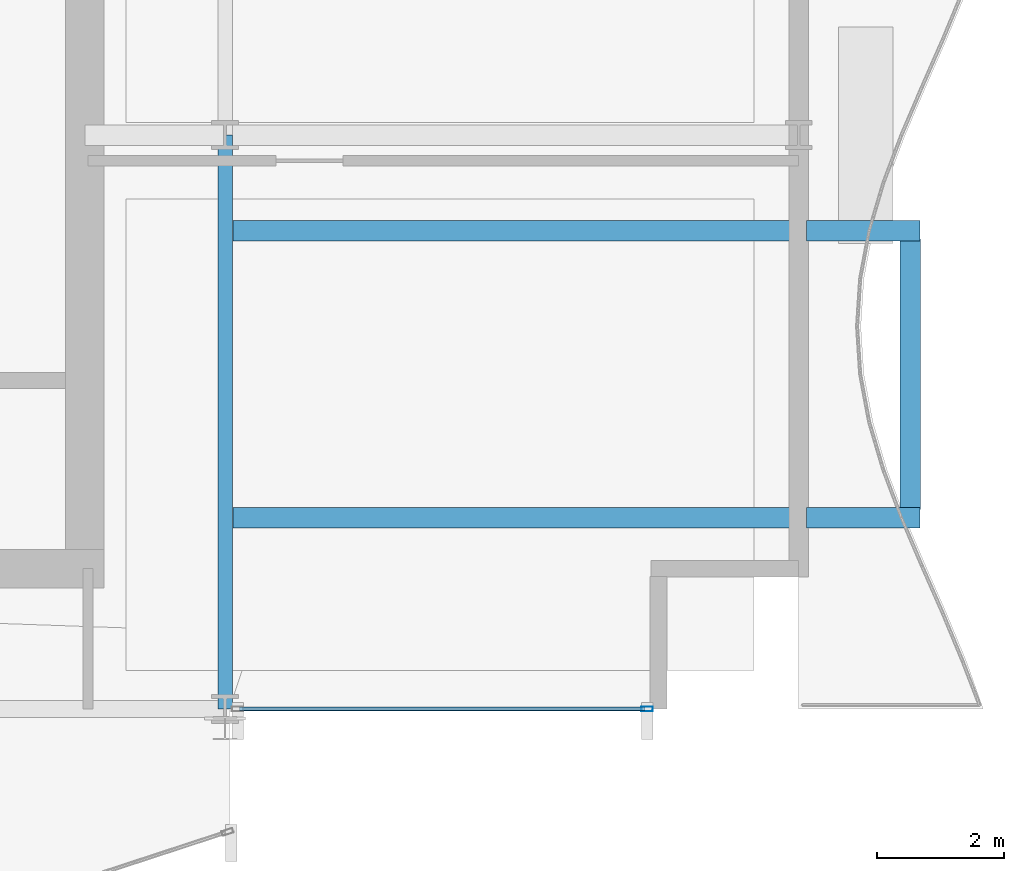
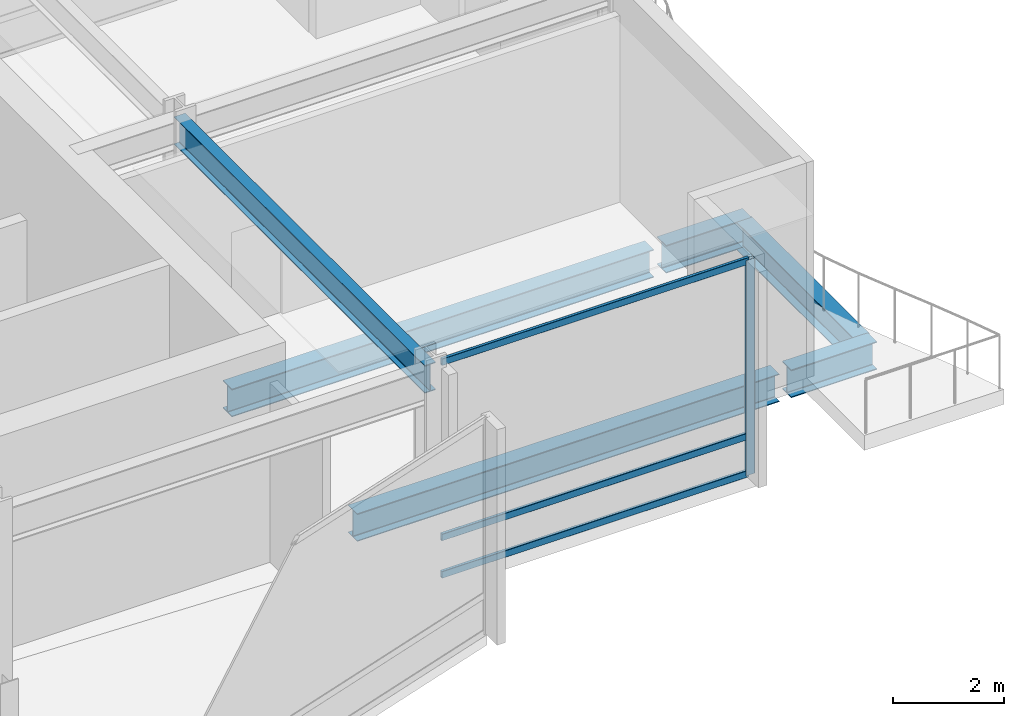
# One storey, part 11 of 33: 6 beams, 4 members, 1 element without a shape of its own.
"""IFC4 building model written with IfcOpenShell, lengths in metres."""

import ifcopenshell
import ifcopenshell.guid

model = None  # the IFC model being written
_history = None  # IfcOwnerHistory: only IFC2X3 demands one
_inside = {}  # id of a spatial element -> (the spatial element, [elements in it])
_under = {}  # id of a project, library or spatial element -> (it, [spatial elements below it])
_declared = {}  # id of a project -> (the project, [libraries it declares])
_typed = {}  # id of a type object -> (the type object, [elements of that type])
_made_of = {}  # id of a material, layer set ... -> (it, [elements and type objects made of it])


def new_model(schema):
    """Start an empty IFC model of exactly this schema.

    Asked for "IFC4X3", IfcOpenShell would pick the latest addendum, in which some entities
    have other attributes; the version numbers below select the first issue.
    IFC2X3 requires an IfcOwnerHistory on every rooted entity: one is made here for all.
    """
    global model, _history
    if schema == "IFC4X3":
        model = ifcopenshell.file(schema_version=(4, 3, 0, 0))
    else:
        model = ifcopenshell.file(schema=schema)
    _inside.clear()
    _under.clear()
    _declared.clear()
    _typed.clear()
    _made_of.clear()
    _history = None
    if model.schema == "IFC2X3":
        org = make("IfcOrganization", Name="unknown")
        user = make(
            "IfcPersonAndOrganization",
            ThePerson=make("IfcPerson", FamilyName="unknown"),
            TheOrganization=org,
        )
        app = make(
            "IfcApplication",
            ApplicationDeveloper=org,
            Version="unknown",
            ApplicationFullName="unknown",
            ApplicationIdentifier="unknown",
        )
        _history = make(
            "IfcOwnerHistory",
            OwningUser=user,
            OwningApplication=app,
            ChangeAction="ADDED",
            CreationDate=0,
        )
    return model


def make(cls, **values):
    """One entity of the class cls with the attributes given. An attribute that is None is left unset."""
    return model.create_entity(
        cls, **{name: value for name, value in values.items() if value is not None}
    )


def rooted(cls, **values):
    """An entity with a GlobalId (a new one), such as an element, a storey or a relation."""
    return make(cls, GlobalId=ifcopenshell.guid.new(), OwnerHistory=_history, **values)


def si_unit(unit_type, name, prefix=None):
    """IfcSIUnit, for example si_unit("LENGTHUNIT", "METRE", prefix="MILLI")."""
    return make("IfcSIUnit", UnitType=unit_type, Prefix=prefix, Name=name)


def assignment(units):
    """IfcUnitAssignment: the units of a project."""
    return None if units is None else make("IfcUnitAssignment", Units=units)


def point(xyz):
    """IfcCartesianPoint."""
    return None if xyz is None else make("IfcCartesianPoint", Coordinates=xyz)


def direction(xyz):
    """IfcDirection."""
    return None if xyz is None else make("IfcDirection", DirectionRatios=xyz)


def frame(location, z_axis=None, x_axis=None):
    """IfcAxis2Placement3D, a coordinate frame: its origin and axes. An axis left out is left unset."""
    return make(
        "IfcAxis2Placement3D",
        Location=point(location),
        Axis=direction(z_axis),
        RefDirection=direction(x_axis),
    )


def frame_2d(location, x_axis=None):
    """IfcAxis2Placement2D, a coordinate frame in the plane: its origin and x axis."""
    return make(
        "IfcAxis2Placement2D", Location=point(location), RefDirection=direction(x_axis)
    )


def origin():
    """The frame at (0, 0, 0) with its axes left unset."""
    return frame((0.0, 0.0, 0.0))


def origin_2d():
    """The frame at (0, 0) in the plane with its x axis left unset."""
    return frame_2d((0.0, 0.0))


def place(relative_to, where):
    """IfcLocalPlacement: puts the frame where relative to a parent placement (None: the world)."""
    return make(
        "IfcLocalPlacement", PlacementRelTo=relative_to, RelativePlacement=where
    )


def context(
    kind, dimensions, precision=None, world=None, true_north=None, identifier=None
):
    """IfcGeometricRepresentationContext, for example the 3D "Model" context."""
    return make(
        "IfcGeometricRepresentationContext",
        ContextIdentifier=identifier,
        ContextType=kind,
        CoordinateSpaceDimension=dimensions,
        Precision=precision,
        WorldCoordinateSystem=world,
        TrueNorth=true_north,
    )


def subcontext(parent, identifier, kind, view, scale=None):
    """IfcGeometricRepresentationSubContext, for example "Body" below "Model"."""
    return make(
        "IfcGeometricRepresentationSubContext",
        ContextIdentifier=identifier,
        ContextType=kind,
        ParentContext=parent,
        TargetScale=scale,
        TargetView=view,
    )


def project(units=None, contexts=None):
    """IfcProject with its units and contexts."""
    return rooted(
        "IfcProject",
        Name="project",
        RepresentationContexts=contexts,
        UnitsInContext=assignment(units),
    )


def spatial(cls, under=None, at=None, **own):
    """A site, building, storey or space (cls), placed at a placement, below another one or the project."""
    s = rooted(cls, ObjectPlacement=at, **own)
    if under is not None:
        _under.setdefault(under.id(), (under, []))[1].append(s)
    return s


def profile(cls, at=None, kind="AREA", **sizes):
    """A parametric profile (cls). Its sizes go by their IFC names, for example OverallWidth=200.0."""
    return make(cls, ProfileType=kind, Position=at, **sizes)


def hollow_rectangle(**sizes):
    """IfcRectangleHollowProfileDef."""
    return profile("IfcRectangleHollowProfileDef", **sizes)


def i_section(**sizes):
    """IfcIShapeProfileDef."""
    return profile("IfcIShapeProfileDef", **sizes)


def extrude(swept, where, along, depth):
    """IfcExtrudedAreaSolid: the profile swept, set in the frame where, extruded along a direction by depth."""
    return make(
        "IfcExtrudedAreaSolid",
        SweptArea=swept,
        Position=where,
        ExtrudedDirection=direction(along),
        Depth=depth,
    )


def shape(context_of_items, identifier, shape_type, items):
    """IfcShapeRepresentation: the items that make up one representation, for example the "Body"."""
    return make(
        "IfcShapeRepresentation",
        ContextOfItems=context_of_items,
        RepresentationIdentifier=identifier,
        RepresentationType=shape_type,
        Items=items,
    )


def material(Name=None, Category=None):
    """IfcMaterial."""
    return make("IfcMaterial", Name=Name, Category=Category)


def layer(
    of_material, thickness, ventilated=None, Name=None, Category=None, Priority=None
):
    """IfcMaterialLayer: one layer of a wall or slab, of a material (None: an air gap)."""
    return make(
        "IfcMaterialLayer",
        Material=of_material,
        LayerThickness=thickness,
        IsVentilated=ventilated,
        Name=Name,
        Category=Category,
        Priority=Priority,
    )


def layer_set(layers, Name=None):
    """IfcMaterialLayerSet."""
    return make("IfcMaterialLayerSet", MaterialLayers=layers, LayerSetName=Name)


def material_profile(
    of_material, cross_section, Name=None, Category=None, Priority=None
):
    """IfcMaterialProfile: a cross section and its material."""
    return make(
        "IfcMaterialProfile",
        Name=Name,
        Material=of_material,
        Profile=cross_section,
        Priority=Priority,
        Category=Category,
    )


def profile_set(profiles, Name=None, composite=None):
    """IfcMaterialProfileSet."""
    return make(
        "IfcMaterialProfileSet",
        Name=Name,
        MaterialProfiles=profiles,
        CompositeProfile=composite,
    )


def made_of(thing, what):
    """Note that an element or type object is made of a material, layer set ...; save() writes the relation."""
    if what is not None:
        _made_of.setdefault(what.id(), (what, []))[1].append(thing)
    return thing


def type_object(cls, material=None, **own):
    """A type object (cls), such as IfcWallType, which elements share."""
    return made_of(rooted(cls, **own), material)


def element(
    cls,
    number,
    at=None,
    inside=None,
    cuts=None,
    type_object=None,
    material=None,
    context=None,
    identifier="Body",
    shape_type=None,
    held_by="IfcProductDefinitionShape",
    body=None,
    shapes=None,
    **own,
):
    """One element of the class cls, such as IfcWall. Its Tag is "e" and its number.

    at: its placement. inside: the storey or other place that contains it. cuts: it is an
    opening in that element (IfcRelVoidsElement). A single representation is given by context,
    identifier, shape_type and body (its items); several are given by shapes. held_by: the class
    of the entity that holds the representations. save() writes the other relations.
    """
    e = rooted(cls, Tag="e%d" % number, ObjectPlacement=at, **own)
    if body is not None:
        shapes = [shape(context, identifier, shape_type, body)]
    if shapes is not None:
        e.Representation = make(held_by, Representations=shapes)
    if inside is not None:
        _inside.setdefault(inside.id(), (inside, []))[1].append(e)
    if cuts is not None:
        rooted(
            "IfcRelVoidsElement", RelatingBuildingElement=cuts, RelatedOpeningElement=e
        )
    if type_object is not None:
        _typed.setdefault(type_object.id(), (type_object, []))[1].append(e)
    return made_of(e, material)


def aggregate(whole, parts):
    """IfcRelAggregates: a whole, such as a stair, and the parts it consists of."""
    return rooted("IfcRelAggregates", RelatingObject=whole, RelatedObjects=parts)


def save(model, path):
    """Write the relations noted so far, then the file.

    IfcRelAggregates (storeys below a building ...), IfcRelContainedInSpatialStructure (elements
    in a storey), IfcRelDefinesByType, IfcRelAssociatesMaterial and IfcRelDeclares: one each for
    every whole, place, type object, material and project.
    """
    for whole, parts in _under.values():
        aggregate(whole, parts)
    for where, things in _inside.values():
        rooted(
            "IfcRelContainedInSpatialStructure",
            RelatedElements=things,
            RelatingStructure=where,
        )
    for kind, things in _typed.values():
        rooted("IfcRelDefinesByType", RelatedObjects=things, RelatingType=kind)
    for what, things in _made_of.values():
        rooted("IfcRelAssociatesMaterial", RelatedObjects=things, RelatingMaterial=what)
    for by, libraries in _declared.values():
        rooted("IfcRelDeclares", RelatingContext=by, RelatedDefinitions=libraries)
    model.write(path)


model = new_model("IFC4")

# Units and contexts
model_context = context("Model", 3, precision=1e-05, world=origin(), true_north=direction((0.0, 1.0)))
body_context = subcontext(model_context, "Body", "Model", "MODEL_VIEW")
ifc_project = project(units=[si_unit("LENGTHUNIT", "METRE"), si_unit("AREAUNIT", "SQUARE_METRE"), si_unit("VOLUMEUNIT", "CUBIC_METRE"), si_unit("PLANEANGLEUNIT", "RADIAN"), si_unit("MASSUNIT", "GRAM", prefix="KILO")], contexts=[model_context])

# Site, building, storey
site_placement = place(None, origin())
site = spatial("IfcSite", under=ifc_project, at=site_placement, CompositionType="ELEMENT")
building_placement = place(site_placement, origin())
building = spatial("IfcBuilding", under=site, at=building_placement, Name="Solvaryn Broadcast Tower", CompositionType="ELEMENT")
storey_placement = place(building_placement, frame((0.0, 0.0, 105.0)))
storey = spatial("IfcBuildingStorey", under=building, at=storey_placement, Name="L25", CompositionType="ELEMENT", Elevation=105.0)

# Beams
ifc_material_1 = material(Name="Steel ASTM A992 Grade 50", Category="steel")
ifc_material_profile_1 = material_profile(ifc_material_1, i_section(OverallWidth=0.323974609375, OverallDepth=0.611083984375, WebThickness=0.0126953125, FlangeThickness=0.01904296875, FilletRadius=0.014892578125, at=origin_2d()))
ifc_profile_set_1 = profile_set([ifc_material_profile_1], Name="Steel ASTM A992 Grade 50")
beam_type_1 = type_object("IfcBeamType", Name="BM-B1-W24X104", PredefinedType="BEAM", material=ifc_profile_set_1)
for number, where, z_axis, x_axis, name in (
    (1, (45.125, 12.0, -0.635498046875), (1.0, 0.0, 0.0), (0.0, 1.0, 0.0), "L25 East Terrace Back-Span Beam Y12.0"),
    (2, (45.125, 16.5, -0.635498046875), (1.0, 0.0, 0.0), (0.0, 1.0, 0.0), "L25 East Terrace Back-Span Beam Y16.5"),
):
    element("IfcBeam", number, at=place(storey_placement, frame(where, z_axis=z_axis, x_axis=x_axis)), inside=storey, type_object=beam_type_1, Name=name, PredefinedType="BEAM", context=body_context, shape_type="SweptSolid", body=[
        extrude(i_section(OverallWidth=0.323974609375, OverallDepth=0.611083984375, WebThickness=0.0126953125, FlangeThickness=0.01904296875, FilletRadius=0.014892578125, at=origin_2d()), origin(), (0.0, 0.0, 1.0), 8.75),
    ])
beam_1_placement = place(storey_placement, frame((55.75, 12.125, -0.635498046875), z_axis=(0.0, 1.0, 0.0), x_axis=(-1.0, 0.0, 0.0)))
element("IfcBeam", 3, at=beam_1_placement, inside=storey, type_object=beam_type_1, Name="L25 East Terrace Cross Tie Beam", PredefinedType="BEAM", context=body_context, shape_type="SweptSolid", body=[
    extrude(i_section(OverallWidth=0.323974609375, OverallDepth=0.611083984375, WebThickness=0.0126953125, FlangeThickness=0.01904296875, FilletRadius=0.014892578125, at=origin_2d()), origin(), (0.0, 0.0, 1.0), 4.25),
])
ifc_material_2 = material(Name="Steel ASTM A992 Grade 50", Category="steel")
ifc_material_profile_2 = material_profile(ifc_material_2, i_section(OverallWidth=0.22802734375, OverallDepth=0.60791015625, WebThickness=0.01123046875, FlangeThickness=0.017333984375, FilletRadius=0.014892578125, at=origin_2d()))
ifc_profile_set_2 = profile_set([ifc_material_profile_2], Name="Steel ASTM A992 Grade 50")
beam_type_2 = type_object("IfcBeamType", Name="BM-B2-W24X76", PredefinedType="BEAM", material=ifc_profile_set_2)
beam_2_placement = place(storey_placement, frame((45.0, 9.0, 4.416015625), z_axis=(0.0, 1.0, 0.0), x_axis=(-1.0, 0.0, 0.0)))
element("IfcBeam", 4, at=beam_2_placement, inside=storey, type_object=beam_type_2, Name="L25 Primary Beam Y (9-18 @ X=45)", PredefinedType="BEAM", context=body_context, shape_type="SweptSolid", body=[
    extrude(i_section(OverallWidth=0.22802734375, OverallDepth=0.60791015625, WebThickness=0.01123046875, FlangeThickness=0.017333984375, FilletRadius=0.014892578125, at=origin_2d()), origin(), (0.0, 0.0, 1.0), 9.0),
])
ifc_material_3 = material(Name="Steel ASTM A992 Grade 50", Category="steel")
ifc_material_profile_3 = material_profile(ifc_material_3, i_section(OverallWidth=0.323974609375, OverallDepth=0.611083984375, WebThickness=0.0126953125, FlangeThickness=0.01904296875, FilletRadius=0.014892578125, at=origin_2d()))
ifc_profile_set_3 = profile_set([ifc_material_profile_3], Name="Steel ASTM A992 Grade 50")
beam_type_3 = type_object("IfcBeamType", Name="BM-CANT-TER", PredefinedType="BEAM", material=ifc_profile_set_3)
for number, where, z_axis, x_axis, name in (
    (5, (54.125, 12.0, -0.635498046875), (1.0, 0.0, 0.0), (0.0, 1.0, 0.0), "L25 East Terrace Cantilever Beam Y12.0"),
    (6, (54.125, 16.5, -0.635498046875), (1.0, 0.0, 0.0), (0.0, 1.0, 0.0), "L25 East Terrace Cantilever Beam Y16.5"),
):
    element("IfcBeam", number, at=place(storey_placement, frame(where, z_axis=z_axis, x_axis=x_axis)), inside=storey, type_object=beam_type_3, Name=name, PredefinedType="BEAM", context=body_context, shape_type="SweptSolid", body=[
        extrude(i_section(OverallWidth=0.323974609375, OverallDepth=0.611083984375, WebThickness=0.0126953125, FlangeThickness=0.01904296875, FilletRadius=0.014892578125, at=origin_2d()), origin(), (0.0, 0.0, 1.0), 1.77490234375),
    ])

# Curtain wall, members
ifc_material_4 = material(Name="Aluminium and Terracotta Unitised Curtain Wall", Category="masonry")
ifc_layer = layer(ifc_material_4, 0.25)
ifc_layer_set = layer_set([ifc_layer], Name="CW-SYS4-SKYGARDEN")
curtain_wall_type = type_object("IfcCurtainWallType", Name="CW-SYS4-SKYGARDEN", PredefinedType="NOTDEFINED", material=ifc_layer_set)
curtain_wall_placement = place(storey_placement, origin())
curtain_wall = element("IfcCurtainWall", 7, at=curtain_wall_placement, inside=storey, type_object=curtain_wall_type, Name="L25 Curtain Wall S2", PredefinedType="NOTDEFINED")
ifc_material_5 = material(Name="Anodised Aluminium 6063-T6", Category="aluminium")
ifc_material_profile_4 = material_profile(ifc_material_5, hollow_rectangle(XDim=0.074951171875, YDim=0.179931640625, WallThickness=0.00390625, InnerFilletRadius=0.00390625, OuterFilletRadius=0.008056640625, at=origin_2d()))
ifc_profile_set_4 = profile_set([ifc_material_profile_4], Name="Anodised Aluminium 6063-T6")
member_type_1 = type_object("IfcMemberType", Name="CW-MUL-180", PredefinedType="MULLION", material=ifc_profile_set_4)
member_1_placement = place(storey_placement, frame((51.6201171875, 9.0, 0.0), z_axis=(0.0, 0.0, 1.0), x_axis=(0.0, 1.0, 0.0)))
member_1 = element("IfcMember", 8, at=member_1_placement, type_object=member_type_1, Name="CWS4 mullion 2", PredefinedType="MULLION", context=body_context, shape_type="SweptSolid", body=[
    extrude(hollow_rectangle(XDim=0.074951171875, YDim=0.179931640625, WallThickness=0.00390625, InnerFilletRadius=0.00390625, OuterFilletRadius=0.008056640625, at=origin_2d()), origin(), (0.0, 0.0, 1.0), 4.719970703125),
])
ifc_material_6 = material(Name="Anodised Aluminium 6063-T6", Category="aluminium")
ifc_material_profile_5 = material_profile(ifc_material_6, hollow_rectangle(XDim=0.06494140625, YDim=0.14990234375, WallThickness=0.00390625, InnerFilletRadius=0.00390625, OuterFilletRadius=0.008056640625, at=origin_2d()))
ifc_profile_set_5 = profile_set([ifc_material_profile_5], Name="Anodised Aluminium 6063-T6")
member_type_2 = type_object("IfcMemberType", Name="CW-TRN-150", PredefinedType="USERDEFINED", material=ifc_profile_set_5)
member_2_placement = place(storey_placement, frame((45.22705078125, 9.0, 0.030029296875), z_axis=(1.0, 0.0, 0.0), x_axis=(0.0, 1.0, 0.0)))
member_2 = element("IfcMember", 9, at=member_2_placement, type_object=member_type_2, Name="CWS4 transom 1.1", ObjectType="TRANSOM", PredefinedType="USERDEFINED", context=body_context, shape_type="SweptSolid", body=[
    extrude(hollow_rectangle(XDim=0.06494140625, YDim=0.14990234375, WallThickness=0.00390625, InnerFilletRadius=0.00390625, OuterFilletRadius=0.008056640625, at=origin_2d()), origin(), (0.0, 0.0, 1.0), 6.363037109375),
])
member_3_placement = place(storey_placement, frame((45.22705078125, 9.0, 0.85009765625), z_axis=(1.0, 0.0, 0.0), x_axis=(0.0, 1.0, 0.0)))
member_3 = element("IfcMember", 10, at=member_3_placement, type_object=member_type_2, Name="CWS4 transom 1.2", ObjectType="TRANSOM", PredefinedType="USERDEFINED", context=body_context, shape_type="SweptSolid", body=[
    extrude(hollow_rectangle(XDim=0.06494140625, YDim=0.14990234375, WallThickness=0.00390625, InnerFilletRadius=0.00390625, OuterFilletRadius=0.008056640625, at=origin_2d()), origin(), (0.0, 0.0, 1.0), 6.363037109375),
])
member_4_placement = place(storey_placement, frame((45.22705078125, 9.0, 4.68994140625), z_axis=(1.0, 0.0, 0.0), x_axis=(0.0, 1.0, 0.0)))
member_4 = element("IfcMember", 11, at=member_4_placement, type_object=member_type_2, Name="CWS4 transom 1.3", ObjectType="TRANSOM", PredefinedType="USERDEFINED", context=body_context, shape_type="SweptSolid", body=[
    extrude(hollow_rectangle(XDim=0.06494140625, YDim=0.14990234375, WallThickness=0.00390625, InnerFilletRadius=0.00390625, OuterFilletRadius=0.008056640625, at=origin_2d()), origin(), (0.0, 0.0, 1.0), 6.363037109375),
])
aggregate(curtain_wall, [member_1, member_2, member_3, member_4])

save(model, "model.ifc")
